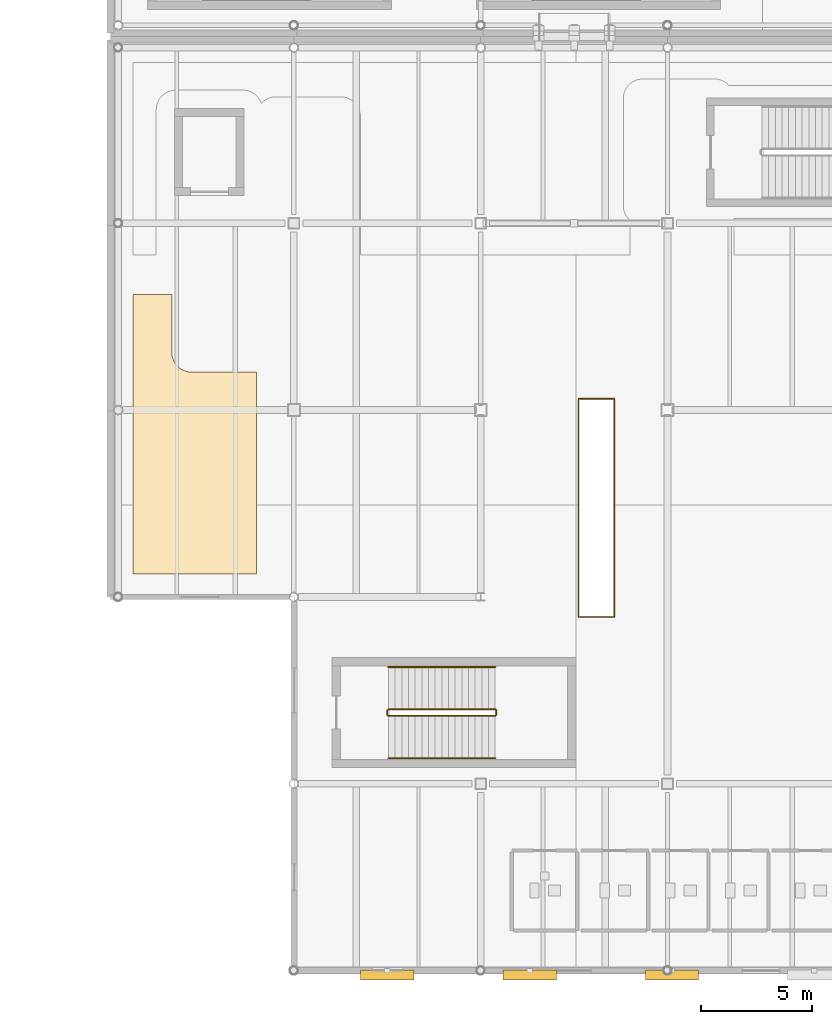
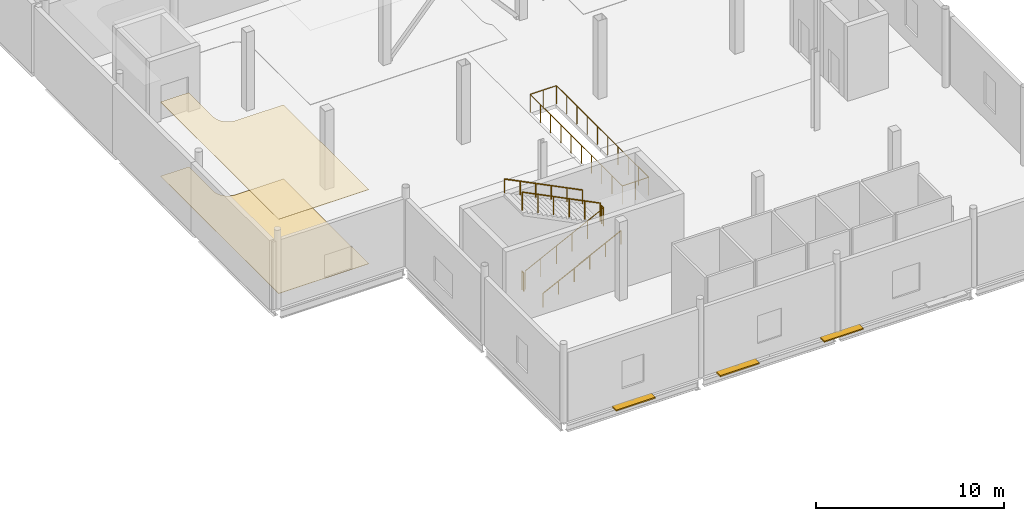
# One storey, part 90 of 104: 7 railings, 3 shading devices, 2 coverings.
"""IFC4 building model written with IfcOpenShell, lengths in metres."""

from ifc_helpers import new_model, si_unit, direction, frame, origin, origin_2d, place, context, subcontext, project, spatial, polyline, rectangle, circle, outline, extrude, material, layer, layer_set, type_object, element, save


model = new_model("IFC4")

# Units and contexts
model_context = context("Model", 3, precision=1e-05, world=origin(), true_north=direction((0.0, 1.0)))
body_context = subcontext(model_context, "Body", "Model", "MODEL_VIEW")
ifc_project = project(units=[si_unit("LENGTHUNIT", "METRE"), si_unit("AREAUNIT", "SQUARE_METRE"), si_unit("VOLUMEUNIT", "CUBIC_METRE"), si_unit("PLANEANGLEUNIT", "RADIAN"), si_unit("MASSUNIT", "GRAM", prefix="KILO"), si_unit("THERMODYNAMICTEMPERATUREUNIT", "KELVIN")], contexts=[model_context])

# Site, building, storey
site_placement = place(None, origin())
site = spatial("IfcSite", under=ifc_project, at=site_placement, CompositionType="ELEMENT")
building_placement = place(site_placement, origin())
building = spatial("IfcBuilding", under=site, at=building_placement, Name="Lustrewick Department Store", CompositionType="ELEMENT")
storey_placement = place(building_placement, frame((0.0, 0.0, 11.39990234375)))
storey = spatial("IfcBuildingStorey", under=building, at=storey_placement, Name="L03", CompositionType="ELEMENT", Elevation=11.39990234375)

# Coverings
ifc_material_1 = material(Name="Perforated mineral-fibre acoustic ceiling board", Category="gypsum")
ifc_layer_1 = layer(ifc_material_1, 0.02490234375, Name="Perforated mineral-fibre acoustic ceiling board")
ifc_layer_set_1 = layer_set([ifc_layer_1], Name="Perforated mineral-fibre acoustic ceiling board")
covering_type_1 = type_object("IfcCoveringType", Name="COV-CEIL", PredefinedType="CEILING", material=ifc_layer_set_1)
covering_1_placement = place(storey_placement, frame((0.0, 0.0, 4.820068359375)))
element("IfcCovering", 1, at=covering_1_placement, inside=storey, type_object=covering_type_1, Name="L03 V3 Merchandise Display Alcove 2 Acoustic Ceiling", PredefinedType="CEILING", context=body_context, shape_type="SweptSolid", body=[
    extrude(outline(polyline([(112.110107421875, 38.807861328125), (110.3701171875, 38.807861328125), (110.3701171875, 26.219970703125), (115.909912109375, 26.219970703125), (115.909912109375, 35.31005859375), (112.9970703125, 35.31005859375), (112.912353515625, 35.314208984375), (112.828369140625, 35.32666015625), (112.824951171875, 35.327392578125), (112.8076171875, 35.3310546875), (112.80419921875, 35.331787109375), (112.721435546875, 35.3544921875), (112.6416015625, 35.385498046875), (112.63623046875, 35.3876953125), (112.569580078125, 35.421142578125), (112.565673828125, 35.42333984375), (112.504150390625, 35.4609375), (112.446044921875, 35.50341796875), (112.44140625, 35.507080078125), (112.37060546875, 35.570556640625), (112.30712890625, 35.641357421875), (112.303466796875, 35.64599609375), (112.260986328125, 35.7041015625), (112.223388671875, 35.765625), (112.22119140625, 35.76953125), (112.187744140625, 35.836181640625), (112.1865234375, 35.8388671875), (112.185302734375, 35.841552734375), (112.154541015625, 35.92138671875), (112.1318359375, 36.00439453125), (112.131103515625, 36.007568359375), (112.12744140625, 36.02490234375), (112.126708984375, 36.0283203125), (112.1142578125, 36.1123046875), (112.110107421875, 36.197021484375), (112.110107421875, 38.807861328125)])), origin(), (0.0, 0.0, 1.0), 0.025146484375),
])
ifc_material_2 = material(Name="Polished terrazzo and porcelain floor finish", Category="masonry")
ifc_layer_2 = layer(ifc_material_2, 0.02001953125, Name="Polished terrazzo and porcelain floor finish")
ifc_layer_set_2 = layer_set([ifc_layer_2], Name="Polished terrazzo and porcelain floor finish")
covering_type_2 = type_object("IfcCoveringType", Name="COV-FLR", PredefinedType="FLOORING", material=ifc_layer_set_2)
covering_2_placement = place(storey_placement, origin())
element("IfcCovering", 2, at=covering_2_placement, inside=storey, type_object=covering_type_2, Name="L03 V3 Merchandise Display Alcove 2 Terrazzo Flooring", PredefinedType="FLOORING", context=body_context, shape_type="SweptSolid", body=[
    extrude(outline(polyline([(112.110107421875, 38.807861328125), (110.3701171875, 38.807861328125), (110.3701171875, 26.219970703125), (115.909912109375, 26.219970703125), (115.909912109375, 35.31005859375), (112.9970703125, 35.31005859375), (112.912353515625, 35.314208984375), (112.828369140625, 35.32666015625), (112.824951171875, 35.327392578125), (112.8076171875, 35.3310546875), (112.80419921875, 35.331787109375), (112.721435546875, 35.3544921875), (112.6416015625, 35.385498046875), (112.63623046875, 35.3876953125), (112.569580078125, 35.421142578125), (112.565673828125, 35.42333984375), (112.504150390625, 35.4609375), (112.446044921875, 35.50341796875), (112.44140625, 35.507080078125), (112.37060546875, 35.570556640625), (112.30712890625, 35.641357421875), (112.303466796875, 35.64599609375), (112.260986328125, 35.7041015625), (112.223388671875, 35.765625), (112.22119140625, 35.76953125), (112.187744140625, 35.836181640625), (112.1865234375, 35.8388671875), (112.185302734375, 35.841552734375), (112.154541015625, 35.92138671875), (112.1318359375, 36.00439453125), (112.131103515625, 36.007568359375), (112.12744140625, 36.02490234375), (112.126708984375, 36.0283203125), (112.1142578125, 36.1123046875), (112.110107421875, 36.197021484375), (112.110107421875, 38.807861328125)])), origin(), (0.0, 0.0, 1.0), 0.02001953125),
])

# Railings
ifc_material_3 = material(Name="Laminated safety glass and bronze atrium balustrade", Category="glass")
railing_type_1 = type_object("IfcRailingType", Name="RL-BAL", PredefinedType="BALUSTRADE", material=ifc_material_3)
railing_1_placement = place(storey_placement, frame((130.389892578125, 24.2900390625, 0.0)))
element("IfcRailing", 3, at=railing_1_placement, inside=storey, type_object=railing_type_1, Name="L03 V3 Escalator Well Balustrade 0029", PredefinedType="BALUSTRADE", context=body_context, shape_type="SweptSolid", body=[
    extrude(circle(Radius=0.02392578125, at=origin_2d()), frame((0.0, 0.0, 1.17578125), z_axis=(0.0, 1.0, 0.0), x_axis=(-1.0, 0.0, 0.0)), (0.0, 0.0, 1.0), 9.820068359375),
    extrude(circle(Radius=0.02392578125, at=origin_2d()), frame((0.0, 9.820068359375, 1.17578125), z_axis=(1.0, 0.0, 0.0), x_axis=(0.0, 1.0, 0.0)), (0.0, 0.0, 1.0), 1.6201171875),
    extrude(circle(Radius=0.02392578125, at=origin_2d()), frame((1.6201171875, 9.820068359375, 1.17578125), z_axis=(0.0, -1.0, 0.0), x_axis=(1.0, 0.0, 0.0)), (0.0, 0.0, 1.0), 9.820068359375),
    extrude(circle(Radius=0.02392578125, at=origin_2d()), frame((1.6201171875, 0.0, 1.17578125), z_axis=(-1.0, 0.0, 0.0), x_axis=(0.0, -1.0, 0.0)), (0.0, 0.0, 1.0), 1.6201171875),
    extrude(circle(Radius=0.02099609375, at=origin_2d()), origin(), (0.0, 0.0, 1.0), 1.15185546875),
    extrude(circle(Radius=0.02099609375, at=origin_2d()), frame((0.0, 1.091064453125, 0.0)), (0.0, 0.0, 1.0), 1.15185546875),
    extrude(circle(Radius=0.02099609375, at=origin_2d()), frame((0.0, 2.18212890625, 0.0)), (0.0, 0.0, 1.0), 1.15185546875),
    extrude(circle(Radius=0.02099609375, at=origin_2d()), frame((0.0, 3.2734375, 0.0)), (0.0, 0.0, 1.0), 1.15185546875),
    extrude(circle(Radius=0.02099609375, at=origin_2d()), frame((0.0, 4.364501953125, 0.0)), (0.0, 0.0, 1.0), 1.15185546875),
    extrude(circle(Radius=0.02099609375, at=origin_2d()), frame((0.0, 5.45556640625, 0.0)), (0.0, 0.0, 1.0), 1.15185546875),
    extrude(circle(Radius=0.02099609375, at=origin_2d()), frame((0.0, 6.546630859375, 0.0)), (0.0, 0.0, 1.0), 1.15185546875),
    extrude(circle(Radius=0.02099609375, at=origin_2d()), frame((0.0, 7.637939453125, 0.0)), (0.0, 0.0, 1.0), 1.15185546875),
    extrude(circle(Radius=0.02099609375, at=origin_2d()), frame((0.0, 8.72900390625, 0.0)), (0.0, 0.0, 1.0), 1.15185546875),
    extrude(circle(Radius=0.02099609375, at=origin_2d()), frame((0.0, 9.820068359375, 0.0)), (0.0, 0.0, 1.0), 1.15185546875),
    extrude(circle(Radius=0.02099609375, at=origin_2d()), frame((0.81005859375, 9.820068359375, 0.0)), (0.0, 0.0, 1.0), 1.15185546875),
    extrude(circle(Radius=0.02099609375, at=origin_2d()), frame((1.6201171875, 9.820068359375, 0.0)), (0.0, 0.0, 1.0), 1.15185546875),
    extrude(circle(Radius=0.02099609375, at=origin_2d()), frame((1.6201171875, 8.72900390625, 0.0)), (0.0, 0.0, 1.0), 1.15185546875),
    extrude(circle(Radius=0.02099609375, at=origin_2d()), frame((1.6201171875, 7.637939453125, 0.0)), (0.0, 0.0, 1.0), 1.15185546875),
    extrude(circle(Radius=0.02099609375, at=origin_2d()), frame((1.6201171875, 6.546630859375, 0.0)), (0.0, 0.0, 1.0), 1.15185546875),
    extrude(circle(Radius=0.02099609375, at=origin_2d()), frame((1.6201171875, 5.45556640625, 0.0)), (0.0, 0.0, 1.0), 1.15185546875),
    extrude(circle(Radius=0.02099609375, at=origin_2d()), frame((1.6201171875, 4.364501953125, 0.0)), (0.0, 0.0, 1.0), 1.15185546875),
    extrude(circle(Radius=0.02099609375, at=origin_2d()), frame((1.6201171875, 3.2734375, 0.0)), (0.0, 0.0, 1.0), 1.15185546875),
    extrude(circle(Radius=0.02099609375, at=origin_2d()), frame((1.6201171875, 2.18212890625, 0.0)), (0.0, 0.0, 1.0), 1.15185546875),
    extrude(circle(Radius=0.02099609375, at=origin_2d()), frame((1.6201171875, 1.091064453125, 0.0)), (0.0, 0.0, 1.0), 1.15185546875),
    extrude(circle(Radius=0.02099609375, at=origin_2d()), frame((1.6201171875, 0.0, 0.0)), (0.0, 0.0, 1.0), 1.15185546875),
    extrude(circle(Radius=0.02099609375, at=origin_2d()), frame((0.81005859375, 0.0, 0.0)), (0.0, 0.0, 1.0), 1.15185546875),
])
ifc_material_4 = material(Name="Painted tubular steel stairwell guardrail", Category="steel")
railing_type_2 = type_object("IfcRailingType", Name="RL-STG", PredefinedType="GUARDRAIL", material=ifc_material_4)
railing_2_placement = place(storey_placement, frame((121.85009765625, 19.85009765625, 0.150146484375)))
element("IfcRailing", 4, at=railing_2_placement, inside=storey, type_object=railing_type_2, Name="L03 ST07 Stair Guard 1", PredefinedType="GUARDRAIL", context=body_context, shape_type="SweptSolid", body=[
    extrude(circle(Radius=0.02392578125, at=origin_2d()), frame((0.0, 0.0, 1.17578125), z_axis=(0.894427191, 0.0, 0.4472135955), x_axis=(0.0, 1.0, 0.0)), (0.0, 0.0, 1.0), 5.366455078125),
    extrude(circle(Radius=0.02099609375, at=origin_2d()), origin(), (0.0, 0.0, 1.0), 1.15185546875),
    extrude(circle(Radius=0.02099609375, at=origin_2d()), frame((0.9599609375, 0.0, 0.47998046875)), (0.0, 0.0, 1.0), 1.15185546875),
    extrude(circle(Radius=0.02099609375, at=origin_2d()), frame((1.919921875, 0.0, 0.9599609375)), (0.0, 0.0, 1.0), 1.15185546875),
    extrude(circle(Radius=0.02099609375, at=origin_2d()), frame((2.8798828125, 0.0, 1.43994140625)), (0.0, 0.0, 1.0), 1.15185546875),
    extrude(circle(Radius=0.02099609375, at=origin_2d()), frame((3.83984375, 0.0, 1.919921875)), (0.0, 0.0, 1.0), 1.15185546875),
    extrude(circle(Radius=0.02099609375, at=origin_2d()), frame((4.7998046875, 0.0, 2.39990234375)), (0.0, 0.0, 1.0), 1.15185546875),
])
railing_3_placement = place(storey_placement, frame((126.699951171875, 19.89990234375, 2.550048828125)))
element("IfcRailing", 5, at=railing_3_placement, inside=storey, type_object=railing_type_2, Name="L03 ST07 Stair Guard 2", PredefinedType="GUARDRAIL", context=body_context, shape_type="SweptSolid", body=[
    extrude(circle(Radius=0.02392578125, at=origin_2d()), frame((0.0, 0.0, 1.17578125), z_axis=(0.0, 1.0, 0.0), x_axis=(-1.0, 0.0, 0.0)), (0.0, 0.0, 1.0), 0.2001953125),
    extrude(circle(Radius=0.02099609375, at=origin_2d()), origin(), (0.0, 0.0, 1.0), 1.15185546875),
    extrude(circle(Radius=0.02099609375, at=origin_2d()), frame((0.0, 0.2001953125, 0.0)), (0.0, 0.0, 1.0), 1.15185546875),
])
railing_4_placement = place(storey_placement, frame((126.64990234375, 20.14990234375, 2.7001953125)))
element("IfcRailing", 6, at=railing_4_placement, inside=storey, type_object=railing_type_2, Name="L03 ST07 Stair Guard 3", PredefinedType="GUARDRAIL", context=body_context, shape_type="SweptSolid", body=[
    extrude(circle(Radius=0.02392578125, at=origin_2d()), frame((0.0, 0.0, 1.17578125), z_axis=(-0.894427191, 0.0, 0.4472135955), x_axis=(0.0, -1.0, 0.0)), (0.0, 0.0, 1.0), 5.366455078125),
    extrude(circle(Radius=0.02099609375, at=origin_2d()), origin(), (0.0, 0.0, 1.0), 1.15185546875),
    extrude(circle(Radius=0.02099609375, at=origin_2d()), frame((-0.9599609375, 0.0, 0.47998046875)), (0.0, 0.0, 1.0), 1.15185546875),
    extrude(circle(Radius=0.02099609375, at=origin_2d()), frame((-1.919921875, 0.0, 0.9599609375)), (0.0, 0.0, 1.0), 1.15185546875),
    extrude(circle(Radius=0.02099609375, at=origin_2d()), frame((-2.8798828125, 0.0, 1.43994140625)), (0.0, 0.0, 1.0), 1.15185546875),
    extrude(circle(Radius=0.02099609375, at=origin_2d()), frame((-3.83984375, 0.0, 1.919921875)), (0.0, 0.0, 1.0), 1.15185546875),
    extrude(circle(Radius=0.02099609375, at=origin_2d()), frame((-4.7998046875, 0.0, 2.39990234375)), (0.0, 0.0, 1.0), 1.15185546875),
])
railing_5_placement = place(storey_placement, frame((121.800048828125, 19.89990234375, 0.0)))
element("IfcRailing", 7, at=railing_5_placement, inside=storey, type_object=railing_type_2, Name="L03 ST07 Stair Guard 4", PredefinedType="GUARDRAIL", context=body_context, shape_type="SweptSolid", body=[
    extrude(circle(Radius=0.02392578125, at=origin_2d()), frame((0.0, 0.0, 1.17578125), z_axis=(0.0, 1.0, 0.0), x_axis=(-1.0, 0.0, 0.0)), (0.0, 0.0, 1.0), 0.2001953125),
    extrude(circle(Radius=0.02099609375, at=origin_2d()), origin(), (0.0, 0.0, 1.0), 1.15185546875),
    extrude(circle(Radius=0.02099609375, at=origin_2d()), frame((0.0, 0.2001953125, 0.0)), (0.0, 0.0, 1.0), 1.15185546875),
])
ifc_material_5 = material(Name="Brushed stainless steel wall handrail", Category="steel")
railing_type_3 = type_object("IfcRailingType", Name="RL-STH", PredefinedType="HANDRAIL", material=ifc_material_5)
railing_6_placement = place(storey_placement, frame((121.85009765625, 17.949951171875, 0.150146484375)))
element("IfcRailing", 8, at=railing_6_placement, inside=storey, type_object=railing_type_3, Name="L03 ST07 Stair Handrail 1", PredefinedType="HANDRAIL", context=body_context, shape_type="SweptSolid", body=[
    extrude(circle(Radius=0.02392578125, at=origin_2d()), frame((0.0, 0.0, 0.8759765625), z_axis=(0.894427191, 0.0, 0.4472135955), x_axis=(0.0, 1.0, 0.0)), (0.0, 0.0, 1.0), 5.366455078125),
    extrude(circle(Radius=0.02099609375, at=origin_2d()), origin(), (0.0, 0.0, 1.0), 0.851806640625),
    extrude(circle(Radius=0.02099609375, at=origin_2d()), frame((0.9599609375, 0.0, 0.47998046875)), (0.0, 0.0, 1.0), 0.851806640625),
    extrude(circle(Radius=0.02099609375, at=origin_2d()), frame((1.919921875, 0.0, 0.9599609375)), (0.0, 0.0, 1.0), 0.851806640625),
    extrude(circle(Radius=0.02099609375, at=origin_2d()), frame((2.8798828125, 0.0, 1.43994140625)), (0.0, 0.0, 1.0), 0.851806640625),
    extrude(circle(Radius=0.02099609375, at=origin_2d()), frame((3.83984375, 0.0, 1.919921875)), (0.0, 0.0, 1.0), 0.851806640625),
    extrude(circle(Radius=0.02099609375, at=origin_2d()), frame((4.7998046875, 0.0, 2.39990234375)), (0.0, 0.0, 1.0), 0.851806640625),
])
railing_7_placement = place(storey_placement, frame((126.64990234375, 22.050048828125, 2.7001953125)))
element("IfcRailing", 9, at=railing_7_placement, inside=storey, type_object=railing_type_3, Name="L03 ST07 Stair Handrail 2", PredefinedType="HANDRAIL", context=body_context, shape_type="SweptSolid", body=[
    extrude(circle(Radius=0.02392578125, at=origin_2d()), frame((0.0, 0.0, 0.8759765625), z_axis=(-0.894427191, 0.0, 0.4472135955), x_axis=(0.0, -1.0, 0.0)), (0.0, 0.0, 1.0), 5.366455078125),
    extrude(circle(Radius=0.02099609375, at=origin_2d()), origin(), (0.0, 0.0, 1.0), 0.851806640625),
    extrude(circle(Radius=0.02099609375, at=origin_2d()), frame((-0.9599609375, 0.0, 0.47998046875)), (0.0, 0.0, 1.0), 0.851806640625),
    extrude(circle(Radius=0.02099609375, at=origin_2d()), frame((-1.919921875, 0.0, 0.9599609375)), (0.0, 0.0, 1.0), 0.851806640625),
    extrude(circle(Radius=0.02099609375, at=origin_2d()), frame((-2.8798828125, 0.0, 1.43994140625)), (0.0, 0.0, 1.0), 0.851806640625),
    extrude(circle(Radius=0.02099609375, at=origin_2d()), frame((-3.83984375, 0.0, 1.919921875)), (0.0, 0.0, 1.0), 0.851806640625),
    extrude(circle(Radius=0.02099609375, at=origin_2d()), frame((-4.7998046875, 0.0, 2.39990234375)), (0.0, 0.0, 1.0), 0.851806640625),
])

# Shading devices
ifc_material_6 = material(Name="Perforated white powder-coated aluminium 3003-H24", Category="aluminium")
shading_device_type = type_object("IfcShadingDeviceType", Name="SHD-LOUV", PredefinedType="USERDEFINED", material=ifc_material_6)
for number, where, z_axis, x_axis, name in (
    (10, (121.800048828125, 8.199951171875, -0.159912109375), (0.0, 0.0, 1.0), (1.0, 0.0, 0.0), "L03 External Sun Louvre 05"),
    (11, (128.199951171875, 8.199951171875, -0.159912109375), (0.0, 0.0, 1.0), (1.0, 0.0, 0.0), "L03 External Sun Louvre 06"),
    (12, (134.60009765625, 8.199951171875, -0.159912109375), (0.0, 0.0, 1.0), (1.0, 0.0, 0.0), "L03 External Sun Louvre 07"),
):
    element("IfcShadingDevice", number, at=place(storey_placement, frame(where, z_axis=z_axis, x_axis=x_axis)), inside=storey, type_object=shading_device_type, Name=name, ObjectType="LOUVRE", PredefinedType="USERDEFINED", context=body_context, shape_type="SweptSolid", body=[
        extrude(rectangle(XDim=2.39990234375, YDim=0.449951171875, at=origin_2d()), origin(), (0.0, 0.0, 1.0), 0.080078125),
    ])

save(model, "model.ifc")
